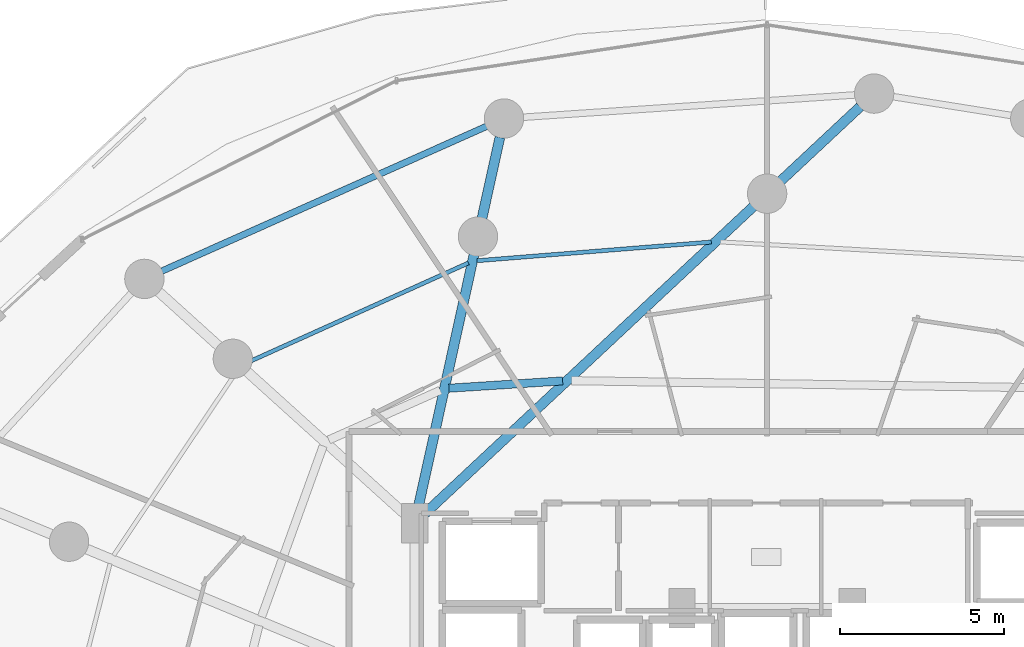
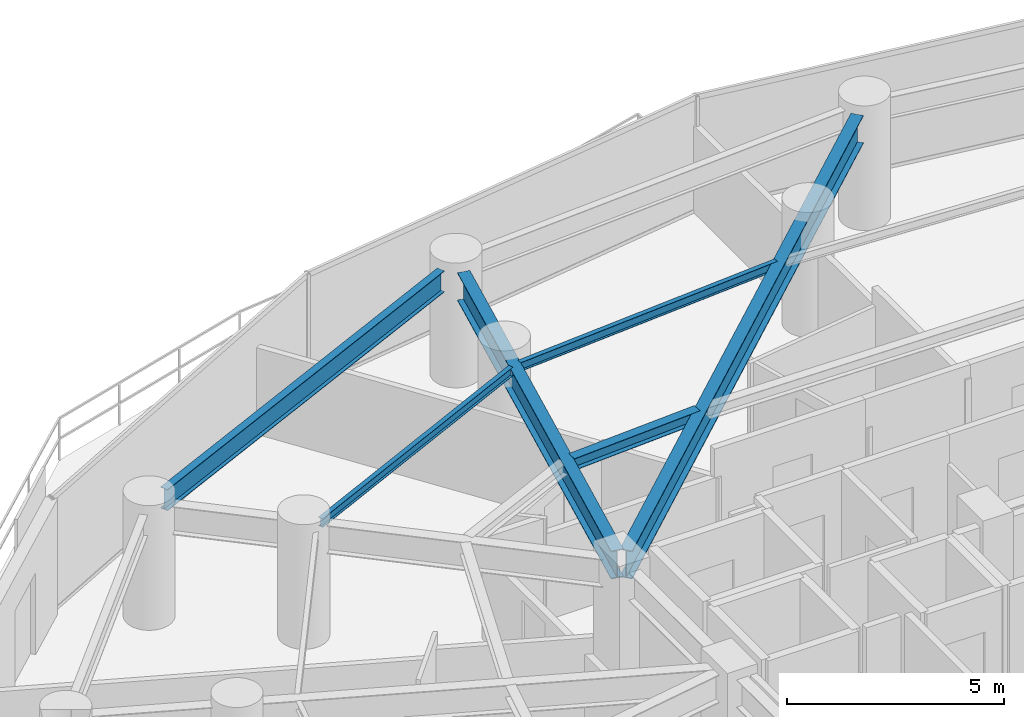
# One storey, part 21 of 35: 6 beams.
"""IFC4 building model written with IfcOpenShell, lengths in metres."""

from ifc_helpers import new_model, si_unit, direction, frame, origin, origin_2d, place, context, subcontext, project, spatial, i_section, extrude, material, material_profile, profile_set, type_object, element, save


model = new_model("IFC4")

# Units and contexts
model_context = context("Model", 3, precision=1e-05, world=origin(), true_north=direction((0.0, 1.0)))
body_context = subcontext(model_context, "Body", "Model", "MODEL_VIEW")
ifc_project = project(units=[si_unit("LENGTHUNIT", "METRE"), si_unit("AREAUNIT", "SQUARE_METRE"), si_unit("VOLUMEUNIT", "CUBIC_METRE"), si_unit("PLANEANGLEUNIT", "RADIAN"), si_unit("MASSUNIT", "GRAM", prefix="KILO")], contexts=[model_context])

# Site, building, storey
site_placement = place(None, origin())
site = spatial("IfcSite", under=ifc_project, at=site_placement, CompositionType="ELEMENT")
building_placement = place(site_placement, origin())
building = spatial("IfcBuilding", under=site, at=building_placement, Name="Vorneva Point Tower", CompositionType="ELEMENT")
storey_placement = place(building_placement, frame((0.0, 0.0, 52.0)))
storey = spatial("IfcBuildingStorey", under=building, at=storey_placement, Name="L13", CompositionType="ELEMENT", Elevation=52.0)

# Beams
ifc_material = material(Name="Steel S355", Category="steel")
ifc_material_profile_1 = material_profile(ifc_material, i_section(OverallWidth=0.300048828125, OverallDepth=0.7880859375, WebThickness=0.014404296875, FlangeThickness=0.02197265625, at=origin_2d()), Name="80Sh1")
ifc_profile_set_1 = profile_set([ifc_material_profile_1], Name="Steel S355")
beam_type_1 = type_object("IfcBeamType", Name="BM-GRD-80Sh1", PredefinedType="USERDEFINED", material=ifc_profile_set_1)
beam_1_placement = place(storey_placement, frame((40.835693359375, 45.850830078125, 2.845947265625), z_axis=(-0.730494745314, -0.682918316542, 0.0), x_axis=(0.682918316542, -0.730494745314, 0.0)))
element("IfcBeam", 1, at=beam_1_placement, inside=storey, type_object=beam_type_1, Name="L13 Radial Primary Girder 05", ObjectType="GIRDER", PredefinedType="USERDEFINED", context=body_context, shape_type="SweptSolid", body=[
    extrude(i_section(OverallWidth=0.300048828125, OverallDepth=0.7880859375, WebThickness=0.014404296875, FlangeThickness=0.02197265625, at=origin_2d()), origin(), (0.0, 0.0, 1.0), 18.258056640625),
])
beam_2_placement = place(storey_placement, frame((29.84716796875, 44.91748046875, 2.845947265625), z_axis=(-0.215521919097, -0.976499002759, 0.0), x_axis=(0.976499002759, -0.215521919097, 0.0)))
element("IfcBeam", 2, at=beam_2_placement, inside=storey, type_object=beam_type_1, Name="L13 Radial Primary Girder 06", ObjectType="GIRDER", PredefinedType="USERDEFINED", context=body_context, shape_type="SweptSolid", body=[
    extrude(i_section(OverallWidth=0.300048828125, OverallDepth=0.7880859375, WebThickness=0.014404296875, FlangeThickness=0.02197265625, at=origin_2d()), origin(), (0.0, 0.0, 1.0), 11.710693359375),
])
ifc_material_profile_2 = material_profile(ifc_material, i_section(OverallWidth=0.1240234375, OverallDepth=0.248046875, WebThickness=0.0048828125, FlangeThickness=0.008056640625, at=origin_2d()), Name="25B1")
ifc_profile_set_2 = profile_set([ifc_material_profile_2], Name="Steel S355")
beam_type_2 = type_object("IfcBeamType", Name="BM-JST-25B1", PredefinedType="JOIST", material=ifc_profile_set_2)
beam_3_placement = place(storey_placement, frame((36.296875, 41.72509765625, 3.115966796875), z_axis=(-0.996829558396, -0.079566522532, 0.0), x_axis=(0.079566522532, -0.996829558396, 0.0)))
element("IfcBeam", 3, at=beam_3_placement, inside=storey, type_object=beam_type_2, Name="L13 Secondary Floor Beam 1.05", PredefinedType="JOIST", context=body_context, shape_type="SweptSolid", body=[
    extrude(i_section(OverallWidth=0.1240234375, OverallDepth=0.248046875, WebThickness=0.0048828125, FlangeThickness=0.008056640625, at=origin_2d()), origin(), (0.0, 0.0, 1.0), 7.167724609375),
])
beam_4_placement = place(storey_placement, frame((28.888427734375, 41.0869140625, 3.115966796875), z_axis=(-0.911700003406, -0.41085654892, 0.0), x_axis=(0.41085654892, -0.911700003406, 0.0)))
element("IfcBeam", 4, at=beam_4_placement, inside=storey, type_object=beam_type_2, Name="L13 Secondary Floor Beam 1.06", PredefinedType="JOIST", context=body_context, shape_type="SweptSolid", body=[
    extrude(i_section(OverallWidth=0.1240234375, OverallDepth=0.248046875, WebThickness=0.0048828125, FlangeThickness=0.008056640625, at=origin_2d()), origin(), (0.0, 0.0, 1.0), 7.49072265625),
])
ifc_material_profile_3 = material_profile(ifc_material, i_section(OverallWidth=0.2490234375, OverallDepth=0.333984375, WebThickness=0.008056640625, FlangeThickness=0.010986328125, at=origin_2d()), Name="35Sh1")
ifc_profile_set_3 = profile_set([ifc_material_profile_3], Name="Steel S355")
beam_type_3 = type_object("IfcBeamType", Name="BM-SEC-35Sh1", PredefinedType="BEAM", material=ifc_profile_set_3)
beam_5_placement = place(storey_placement, frame((31.761962890625, 37.488037109375, 3.072998046875), z_axis=(-0.997931855815, -0.064280721441, 0.0), x_axis=(0.064280721441, -0.997931855815, 0.0)))
element("IfcBeam", 5, at=beam_5_placement, inside=storey, type_object=beam_type_3, Name="L13 Secondary Floor Beam 2.05", PredefinedType="BEAM", context=body_context, shape_type="SweptSolid", body=[
    extrude(i_section(OverallWidth=0.2490234375, OverallDepth=0.333984375, WebThickness=0.008056640625, FlangeThickness=0.010986328125, at=origin_2d()), origin(), (0.0, 0.0, 1.0), 3.47509765625),
])
ifc_material_profile_4 = material_profile(ifc_material, i_section(OverallWidth=0.198974609375, OverallDepth=0.595947265625, WebThickness=0.010009765625, FlangeThickness=0.014892578125, at=origin_2d()), Name="60B1")
ifc_profile_set_4 = profile_set([ifc_material_profile_4], Name="Steel S355")
beam_type_4 = type_object("IfcBeamType", Name="BM-SPN-60B1", PredefinedType="SPANDREL", material=ifc_profile_set_4)
beam_6_placement = place(storey_placement, frame((29.439453125, 45.25341796875, 2.94189453125), z_axis=(-0.913318750016, -0.407245455309, 0.0), x_axis=(0.407245455309, -0.913318750016, 0.0)))
element("IfcBeam", 6, at=beam_6_placement, inside=storey, type_object=beam_type_4, Name="L13 Perimeter Spandrel Ring Beam 06", PredefinedType="SPANDREL", context=body_context, shape_type="SweptSolid", body=[
    extrude(i_section(OverallWidth=0.198974609375, OverallDepth=0.595947265625, WebThickness=0.010009765625, FlangeThickness=0.014892578125, at=origin_2d()), origin(), (0.0, 0.0, 1.0), 10.842529296875),
])

save(model, "model.ifc")
